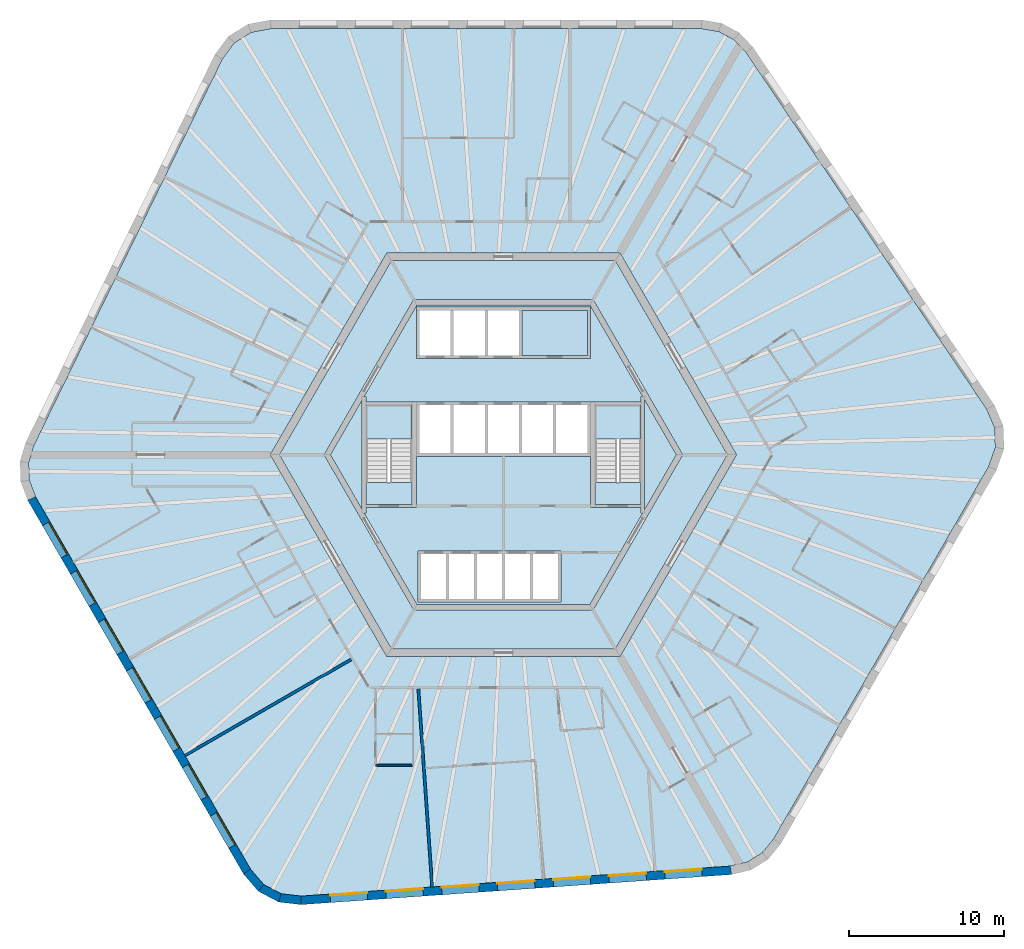
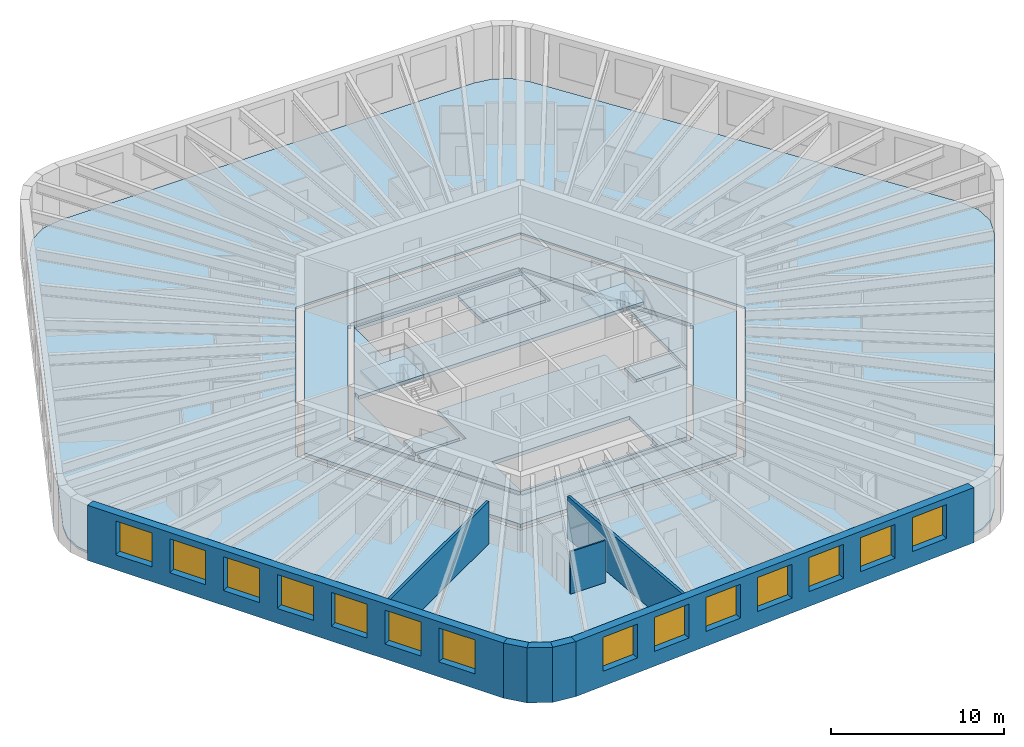
# One storey, part 2 of 10: 14 windows, 11 slabs, 8 walls, 14 openings, 2 elements without a shape of their own.
"""IFC4 building model written with IfcOpenShell, lengths in metres."""

from ifc_helpers import new_model, si_unit, direction, frame, frame_2d, origin, place, context, subcontext, project, spatial, polyline, rectangle, outline, extrude, material, layer, layer_set, type_object, element, fill, aggregate, save


model = new_model("IFC4")

# Units and contexts
model_context = context("Model", 3, precision=1e-05, world=origin(), true_north=direction((0.0, 1.0)))
body_context = subcontext(model_context, "Body", "Model", "MODEL_VIEW")
ifc_project = project(units=[si_unit("LENGTHUNIT", "METRE"), si_unit("AREAUNIT", "SQUARE_METRE"), si_unit("VOLUMEUNIT", "CUBIC_METRE"), si_unit("PLANEANGLEUNIT", "RADIAN"), si_unit("MASSUNIT", "GRAM", prefix="KILO")], contexts=[model_context])

# Site, building, storey
site_placement = place(None, origin())
site = spatial("IfcSite", under=ifc_project, at=site_placement, CompositionType="ELEMENT")
building_placement = place(site_placement, origin())
building = spatial("IfcBuilding", under=site, at=building_placement, Name="Tarnside Tower", CompositionType="ELEMENT")
storey_placement = place(building_placement, frame((0.0, 0.0, 187.800048828125)))
storey = spatial("IfcBuildingStorey", under=building, at=storey_placement, Name="L44", CompositionType="ELEMENT", Elevation=187.800048828125)

# Slabs
ifc_material_1 = material(Name="Concrete C35/45", Category="concrete")
ifc_layer_1 = layer(ifc_material_1, 0.14990234375)
ifc_layer_set_1 = layer_set([ifc_layer_1], Name="Composite floor slab 150")
slab_type_1 = type_object("IfcSlabType", Name="Composite floor slab 150", PredefinedType="FLOOR", material=ifc_layer_set_1)
slab_1_placement = place(storey_placement, frame((0.0, 0.0, -0.150146484375)))
element("IfcSlab", 1, at=slab_1_placement, inside=storey, type_object=slab_type_1, Name="Floor slab L44", PredefinedType="FLOOR", context=body_context, shape_type="SweptSolid", body=[
    extrude(outline(polyline([(13.864013671875, 27.264892578125), (14.85107421875, 26.740234375), (15.6337890625, 25.91064453125), (31.12890625, 2.938232421875), (31.644287109375, 1.7431640625), (31.68896484375, 0.468505859375), (31.258056640625, -0.759521484375), (17.403076171875, -24.7568359375), (16.68017578125, -25.63916015625), (15.732177734375, -26.2314453125), (14.622314453125, -26.494384765625), (-13.02001953125, -28.427490234375), (-14.3125, -28.2763671875), (-15.438720703125, -27.677490234375), (-16.286865234375, -26.6904296875), (-30.1416015625, -2.693115234375), (-30.544189453125, -1.6259765625), (-30.583251953125, -0.5087890625), (-30.256103515625, 0.583984375), (-18.10888671875, 25.4892578125), (-17.331787109375, 26.533203125), (-16.250244140625, 27.208984375), (-14.97119140625, 27.449951171875), (12.738525390625, 27.449951171875), (13.864013671875, 27.264892578125)]), holes=[polyline([(-15.010986328125, 0.0), (-7.505615234375, -13.0), (7.505615234375, -13.0), (15.010986328125, 0.0), (7.505615234375, 13.0), (-7.505615234375, 13.0), (-15.010986328125, 0.0)])]), origin(), (0.0, 0.0, 1.0), 0.150146484375),
])
ifc_material_2 = material(Name="Concrete C40/50", Category="concrete")
ifc_layer_2 = layer(ifc_material_2, 0.25)
ifc_layer_set_2 = layer_set([ifc_layer_2], Name="Core slab C40/50")
slab_type_2 = type_object("IfcSlabType", Name="Core slab C40/50", PredefinedType="FLOOR", material=ifc_layer_set_2)
slab_2_placement = place(storey_placement, frame((0.0, 0.0, -0.25)))
element("IfcSlab", 2, at=slab_2_placement, inside=storey, type_object=slab_type_2, Name="L44 core floor slab 1", PredefinedType="FLOOR", context=body_context, shape_type="SweptSolid", body=[
    extrude(outline(polyline([(-7.216796875, 12.5), (7.216796875, 12.5), (14.433837890625, 0.0), (7.216796875, -12.5), (-7.216796875, -12.5), (-14.433837890625, 0.0), (-7.216796875, 12.5)]), holes=[polyline([(5.823974609375, -9.91259765625), (11.49658203125, -0.08740234375), (11.344970703125, 0.0), (11.49658203125, 0.08740234375), (5.823974609375, 9.91259765625), (5.672607421875, 9.824951171875), (5.672607421875, 10.0), (-5.672607421875, 10.0), (-5.672607421875, 9.824951171875), (-5.823974609375, 9.91259765625), (-11.49658203125, 0.08740234375), (-11.344970703125, 0.0), (-11.49658203125, -0.08740234375), (-5.823974609375, -9.91259765625), (-5.672607421875, -9.824951171875), (-5.672607421875, -10.0), (5.672607421875, -10.0), (5.672607421875, -9.824951171875), (5.823974609375, -9.91259765625)])]), origin(), (0.0, 0.0, 1.0), 0.25),
])
slab_3_placement = place(storey_placement, frame((0.0, 0.0, -0.25)))
element("IfcSlab", 3, at=slab_3_placement, inside=storey, type_object=slab_type_2, Name="L44 core floor slab 2", PredefinedType="FLOOR", context=body_context, shape_type="SweptSolid", body=[
    extrude(outline(polyline([(-8.97509765625, 3.7548828125), (-5.5712890625, 9.64990234375), (5.5712890625, 9.64990234375), (8.97509765625, 3.7548828125), (8.85009765625, 3.7548828125), (8.85009765625, 3.39990234375), (5.89990234375, 3.39990234375), (5.60009765625, 3.39990234375), (5.60009765625, 3.39990234375), (-5.60009765625, 3.39990234375), (-5.89990234375, 3.39990234375), (-8.85009765625, 3.39990234375), (-8.85009765625, 3.7548828125), (-8.97509765625, 3.7548828125)]), holes=[polyline([(-5.60009765625, 6.199951171875), (5.60009765625, 6.199951171875), (5.60009765625, 6.39990234375), (5.60009765625, 9.300048828125), (5.60009765625, 9.5), (-5.60009765625, 9.5), (-5.60009765625, 9.300048828125), (-5.60009765625, 6.39990234375), (-5.60009765625, 6.199951171875)])]), origin(), (0.0, 0.0, 1.0), 0.25),
])
slab_4_placement = place(storey_placement, frame((0.0, 0.0, -0.25)))
element("IfcSlab", 4, at=slab_4_placement, inside=storey, type_object=slab_type_2, Name="L44 core floor slab 3", PredefinedType="FLOOR", context=body_context, shape_type="SweptSolid", body=[
    extrude(outline(polyline([(5.60009765625, -3.39990234375), (5.89990234375, -3.39990234375), (8.85009765625, -3.39990234375), (8.85009765625, -3.7548828125), (8.97509765625, -3.7548828125), (5.5712890625, -9.64990234375), (-5.5712890625, -9.64990234375), (-8.97509765625, -3.7548828125), (-8.85009765625, -3.7548828125), (-8.85009765625, -3.39990234375), (-5.89990234375, -3.39990234375), (-5.60009765625, -3.39990234375), (-5.60009765625, -0.10009765625), (5.60009765625, -0.10009765625), (5.60009765625, -3.39990234375)]), holes=[polyline([(-5.5, -9.300048828125), (-5.5, -9.5), (3.699951171875, -9.5), (3.699951171875, -9.300048828125), (3.699951171875, -6.39990234375), (3.699951171875, -6.199951171875), (-5.5, -6.199951171875), (-5.5, -6.39990234375), (-5.5, -9.300048828125)])]), origin(), (0.0, 0.0, 1.0), 0.25),
])
slab_5_placement = place(storey_placement, frame((0.0, 0.0, -0.25)))
element("IfcSlab", 5, at=slab_5_placement, inside=storey, type_object=slab_type_2, Name="L44 core floor slab 4", PredefinedType="FLOOR", context=body_context, shape_type="SweptSolid", body=[
    extrude(outline(polyline([(-11.142822265625, 0.0), (-9.10009765625, 3.538330078125), (-9.10009765625, -3.538330078125), (-11.142822265625, 0.0)])), origin(), (0.0, 0.0, 1.0), 0.25),
])
slab_6_placement = place(storey_placement, frame((0.0, 0.0, -0.25)))
element("IfcSlab", 6, at=slab_6_placement, inside=storey, type_object=slab_type_2, Name="L44 core floor slab 5", PredefinedType="FLOOR", context=body_context, shape_type="SweptSolid", body=[
    extrude(outline(polyline([(-8.85009765625, -1.800048828125), (-5.89990234375, -1.800048828125), (-5.89990234375, -3.199951171875), (-8.85009765625, -3.199951171875), (-8.85009765625, -1.800048828125)])), origin(), (0.0, 0.0, 1.0), 0.25),
])
slab_7_placement = place(storey_placement, frame((0.0, 0.0, -0.25)))
element("IfcSlab", 7, at=slab_7_placement, inside=storey, type_object=slab_type_2, Name="L44 core floor slab 6", PredefinedType="FLOOR", context=body_context, shape_type="SweptSolid", body=[
    extrude(outline(polyline([(5.89990234375, -3.199951171875), (5.89990234375, -1.800048828125), (8.85009765625, -1.800048828125), (8.85009765625, -3.199951171875), (5.89990234375, -3.199951171875)])), origin(), (0.0, 0.0, 1.0), 0.25),
])
slab_8_placement = place(storey_placement, frame((0.0, 0.0, -0.25)))
element("IfcSlab", 8, at=slab_8_placement, inside=storey, type_object=slab_type_2, Name="L44 core floor slab 7", PredefinedType="FLOOR", context=body_context, shape_type="SweptSolid", body=[
    extrude(outline(polyline([(9.10009765625, -3.538330078125), (9.10009765625, 3.538330078125), (11.142822265625, 0.0), (9.10009765625, -3.538330078125)])), origin(), (0.0, 0.0, 1.0), 0.25),
])
slab_9_placement = place(storey_placement, frame((0.0, 0.0, -0.25)))
element("IfcSlab", 9, at=slab_9_placement, inside=storey, type_object=slab_type_2, Name="L44 core floor slab 8", PredefinedType="FLOOR", context=body_context, shape_type="SweptSolid", body=[
    extrude(outline(polyline([(5.39990234375, 9.300048828125), (5.39990234375, 6.39990234375), (1.199951171875, 6.39990234375), (1.199951171875, 9.300048828125), (5.39990234375, 9.300048828125)])), origin(), (0.0, 0.0, 1.0), 0.25),
])

# Stair, slab
stair_type = type_object("IfcStairType", Name="Exit stair 1400 clear", PredefinedType="HALF_TURN_STAIR", material=ifc_material_2)
stair_1_placement = place(storey_placement, origin())
stair_1 = element("IfcStair", 10, at=stair_1_placement, inside=storey, type_object=stair_type, Name="L44 Exit stair 1", PredefinedType="HALF_TURN_STAIR")
ifc_layer_3 = layer(ifc_material_2, 0.199951171875)
ifc_layer_set_3 = layer_set([ifc_layer_3], Name="Stair landing 200 C40/50")
slab_type_3 = type_object("IfcSlabType", Name="Stair landing 200 C40/50", PredefinedType="LANDING", material=ifc_layer_set_3)
slab_10_placement = place(storey_placement, frame((0.0, 0.0, 1.75)))
slab_10 = element("IfcSlab", 11, at=slab_10_placement, type_object=slab_type_3, Name="ST1 landing 1", PredefinedType="LANDING", context=body_context, shape_type="SweptSolid", body=[
    extrude(outline(polyline([(8.85009765625, 1.0), (8.85009765625, 3.199951171875), (5.89990234375, 3.199951171875), (5.89990234375, 1.0), (8.85009765625, 1.0)])), origin(), (0.0, 0.0, 1.0), 0.199951171875),
])
aggregate(stair_1, [slab_10])

stair_2_placement = place(storey_placement, origin())
stair_2 = element("IfcStair", 12, at=stair_2_placement, inside=storey, type_object=stair_type, Name="L44 Exit stair 2", PredefinedType="HALF_TURN_STAIR")
slab_11_placement = place(storey_placement, frame((0.0, 0.0, 1.75)))
slab_11 = element("IfcSlab", 13, at=slab_11_placement, type_object=slab_type_3, Name="ST2 landing 1", PredefinedType="LANDING", context=body_context, shape_type="SweptSolid", body=[
    extrude(outline(polyline([(-5.89990234375, 1.0), (-5.89990234375, 3.199951171875), (-8.85009765625, 3.199951171875), (-8.85009765625, 1.0), (-5.89990234375, 1.0)])), origin(), (0.0, 0.0, 1.0), 0.199951171875),
])
aggregate(stair_2, [slab_11])

# Walls
ifc_material_3 = material(Name="Gypsum board partition on steel studs", Category="steel")
ifc_layer_4 = layer(ifc_material_3, 0.179931640625)
ifc_layer_set_4 = layer_set([ifc_layer_4], Name="Demising wall 180 EI 60")
wall_type_1 = type_object("IfcWallType", Name="Demising wall 180 EI 60", PredefinedType="PARTITIONING", material=ifc_layer_set_4)
wall_1_placement = place(storey_placement, frame((-20.513427734375, -19.36962890625, 0.0), z_axis=(0.0, 0.0, 1.0), x_axis=(0.866024931941, 0.500000817256, 0.0)))
element("IfcWall", 14, at=wall_1_placement, inside=storey, type_object=wall_type_1, Name="Demising wall 14085", PredefinedType="PARTITIONING", context=body_context, shape_type="SweptSolid", body=[
    extrude(rectangle(XDim=12.375, YDim=0.179931640625, at=frame_2d((6.1875, 0.0))), origin(), (0.0, 0.0, 1.0), 2.98779296875),
])
wall_2_placement = place(storey_placement, frame((-4.587158203125, -27.837890625, 0.0), z_axis=(0.0, 0.0, 1.0), x_axis=(-0.069764754112, 0.997563471206, 0.0)))
element("IfcWall", 15, at=wall_2_placement, inside=storey, type_object=wall_type_1, Name="Demising wall 14091", PredefinedType="PARTITIONING", context=body_context, shape_type="SweptSolid", body=[
    extrude(rectangle(XDim=12.794189453125, YDim=0.179931640625, at=frame_2d((6.39697265625, 0.0))), origin(), (0.0, 0.0, 1.0), 2.98779296875),
])
ifc_layer_5 = layer(ifc_material_3, 0.10009765625)
ifc_layer_set_5 = layer_set([ifc_layer_5], Name="Partition 100")
wall_type_2 = type_object("IfcWallType", Name="Partition 100", PredefinedType="PARTITIONING", material=ifc_layer_set_5)
wall_3_placement = place(storey_placement, frame((-5.885009765625, -20.0, 0.0), z_axis=(0.0, 0.0, 1.0), x_axis=(-1.0, 0.0, 0.0)))
element("IfcWall", 16, at=wall_3_placement, inside=storey, type_object=wall_type_2, Name="Partition wall 14089", PredefinedType="PARTITIONING", context=body_context, shape_type="SweptSolid", body=[
    extrude(rectangle(XDim=2.349853515625, YDim=0.10009765625, at=frame_2d((1.1748046875, 0.0))), origin(), (0.0, 0.0, 1.0), 2.98779296875),
])

# Wall, openings, windows
ifc_material_4 = material(Name="Facing brick", Category="masonry")
ifc_layer_6 = layer(ifc_material_4, 0.10205078125)
ifc_material_5 = material(Name="Concrete C60/75 precast", Category="concrete")
ifc_layer_7 = layer(ifc_material_5, 0.347900390625)
ifc_material_6 = material(Name="Mineral wool insulation")
ifc_layer_8 = layer(ifc_material_6, 0.10009765625)
ifc_layer_set_6 = layer_set([ifc_layer_6, ifc_layer_7, ifc_layer_8], Name="Tube wall 550 brick faced")
wall_type_3 = type_object("IfcWallType", Name="Tube wall 550 brick faced", PredefinedType="SOLIDWALL", material=ifc_layer_set_6)
wall_4_placement = place(storey_placement, frame((-30.39111328125, -2.81103515625, -0.150146484375), z_axis=(0.0, 0.0, 1.0), x_axis=(0.499998569178, -0.866026229868, 0.0)))
wall_4 = element("IfcWall", 17, at=wall_4_placement, inside=storey, type_object=wall_type_3, Name="Tube wall L44 F3 flush 08", PredefinedType="SOLIDWALL", context=body_context, shape_type="SweptSolid", body=[
    extrude(outline(polyline([(-0.0224609375, -0.27490234375), (27.783447265625, -0.27490234375), (27.732177734375, 0.27490234375), (0.0224609375, 0.27490234375), (-0.0224609375, -0.27490234375)])), origin(), (0.0, 0.0, 1.0), 3.900146484375),
])
opening_1_placement = place(wall_4_placement, frame((1.87890625, 0.0, 1.050048828125)))
opening_1 = element("IfcOpeningElement", 18, at=opening_1_placement, cuts=wall_4, Name="Opening WH", PredefinedType="OPENING", context=body_context, shape_type="SweptSolid", body=[
    extrude(rectangle(XDim=2.39990234375, YDim=2.39990234375, at=frame_2d((1.199951171875, 1.199951171875))), frame((0.0, 0.28515625, 0.0), z_axis=(0.0, -1.0, 0.0), x_axis=(1.0, 0.0, 0.0)), (0.0, 0.0, 1.0), 0.570068359375),
])
opening_2_placement = place(wall_4_placement, frame((5.47900390625, 0.0, 1.050048828125)))
opening_2 = element("IfcOpeningElement", 19, at=opening_2_placement, cuts=wall_4, Name="Opening WH", PredefinedType="OPENING", context=body_context, shape_type="SweptSolid", body=[
    extrude(rectangle(XDim=2.39990234375, YDim=2.39990234375, at=frame_2d((1.199951171875, 1.199951171875))), frame((0.0, 0.28515625, 0.0), z_axis=(0.0, -1.0, 0.0), x_axis=(1.0, 0.0, 0.0)), (0.0, 0.0, 1.0), 0.570068359375),
])
opening_3_placement = place(wall_4_placement, frame((9.078857421875, 0.0, 1.050048828125)))
opening_3 = element("IfcOpeningElement", 20, at=opening_3_placement, cuts=wall_4, Name="Opening WH", PredefinedType="OPENING", context=body_context, shape_type="SweptSolid", body=[
    extrude(rectangle(XDim=2.39990234375, YDim=2.39990234375, at=frame_2d((1.199951171875, 1.199951171875))), frame((0.0, 0.28515625, 0.0), z_axis=(0.0, -1.0, 0.0), x_axis=(1.0, 0.0, 0.0)), (0.0, 0.0, 1.0), 0.570068359375),
])
opening_4_placement = place(wall_4_placement, frame((12.678955078125, 0.0, 1.050048828125)))
opening_4 = element("IfcOpeningElement", 21, at=opening_4_placement, cuts=wall_4, Name="Opening WH", PredefinedType="OPENING", context=body_context, shape_type="SweptSolid", body=[
    extrude(rectangle(XDim=2.39990234375, YDim=2.39990234375, at=frame_2d((1.199951171875, 1.199951171875))), frame((0.0, 0.28515625, 0.0), z_axis=(0.0, -1.0, 0.0), x_axis=(1.0, 0.0, 0.0)), (0.0, 0.0, 1.0), 0.570068359375),
])
opening_5_placement = place(wall_4_placement, frame((16.27880859375, 0.0, 1.050048828125)))
opening_5 = element("IfcOpeningElement", 22, at=opening_5_placement, cuts=wall_4, Name="Opening WH", PredefinedType="OPENING", context=body_context, shape_type="SweptSolid", body=[
    extrude(rectangle(XDim=2.39990234375, YDim=2.39990234375, at=frame_2d((1.199951171875, 1.199951171875))), frame((0.0, 0.28515625, 0.0), z_axis=(0.0, -1.0, 0.0), x_axis=(1.0, 0.0, 0.0)), (0.0, 0.0, 1.0), 0.570068359375),
])
opening_6_placement = place(wall_4_placement, frame((19.87890625, 0.0, 1.050048828125)))
opening_6 = element("IfcOpeningElement", 23, at=opening_6_placement, cuts=wall_4, Name="Opening WH", PredefinedType="OPENING", context=body_context, shape_type="SweptSolid", body=[
    extrude(rectangle(XDim=2.39990234375, YDim=2.39990234375, at=frame_2d((1.199951171875, 1.199951171875))), frame((0.0, 0.28515625, 0.0), z_axis=(0.0, -1.0, 0.0), x_axis=(1.0, 0.0, 0.0)), (0.0, 0.0, 1.0), 0.570068359375),
])
opening_7_placement = place(wall_4_placement, frame((23.47900390625, 0.0, 1.050048828125)))
opening_7 = element("IfcOpeningElement", 24, at=opening_7_placement, cuts=wall_4, Name="Opening WH", PredefinedType="OPENING", context=body_context, shape_type="SweptSolid", body=[
    extrude(rectangle(XDim=2.39990234375, YDim=2.39990234375, at=frame_2d((1.199951171875, 1.199951171875))), frame((0.0, 0.28515625, 0.0), z_axis=(0.0, -1.0, 0.0), x_axis=(1.0, 0.0, 0.0)), (0.0, 0.0, 1.0), 0.570068359375),
])
ifc_material_7 = material(Name="Aluminium-framed double glazing", Category="aluminium")
window_type = type_object("IfcWindowType", Name="Hotel window 2400 x 2400", PartitioningType="DOUBLE_PANEL_VERTICAL", PredefinedType="WINDOW", material=ifc_material_7)
window_1_placement = place(opening_1_placement, frame((0.0, 0.205078125, 0.0)))
window_1 = element("IfcWindow", 25, at=window_1_placement, inside=storey, type_object=window_type, Name="E.WN.L44.F3.00", OverallHeight=2.39990234375, OverallWidth=2.39990234375, PartitioningType="DOUBLE_PANEL_VERTICAL", PredefinedType="WINDOW", context=body_context, shape_type="SweptSolid", body=[
    extrude(rectangle(XDim=2.39990234375, YDim=2.39990234375, at=frame_2d((1.199951171875, 1.199951171875))), frame((0.0, 0.030029296875, 0.0), z_axis=(0.0, -1.0, 0.0), x_axis=(1.0, 0.0, 0.0)), (0.0, 0.0, 1.0), 0.06005859375),
])
fill(opening_1, window_1)
window_2_placement = place(opening_2_placement, frame((0.0, 0.205078125, 0.0)))
window_2 = element("IfcWindow", 26, at=window_2_placement, inside=storey, type_object=window_type, Name="E.WN.L44.F3.01", OverallHeight=2.39990234375, OverallWidth=2.39990234375, PartitioningType="DOUBLE_PANEL_VERTICAL", PredefinedType="WINDOW", context=body_context, shape_type="SweptSolid", body=[
    extrude(rectangle(XDim=2.39990234375, YDim=2.39990234375, at=frame_2d((1.199951171875, 1.199951171875))), frame((0.0, 0.030029296875, 0.0), z_axis=(0.0, -1.0, 0.0), x_axis=(1.0, 0.0, 0.0)), (0.0, 0.0, 1.0), 0.06005859375),
])
fill(opening_2, window_2)
window_3_placement = place(opening_3_placement, frame((0.0, 0.205078125, 0.0)))
window_3 = element("IfcWindow", 27, at=window_3_placement, inside=storey, type_object=window_type, Name="E.WN.L44.F3.02", OverallHeight=2.39990234375, OverallWidth=2.39990234375, PartitioningType="DOUBLE_PANEL_VERTICAL", PredefinedType="WINDOW", context=body_context, shape_type="SweptSolid", body=[
    extrude(rectangle(XDim=2.39990234375, YDim=2.39990234375, at=frame_2d((1.199951171875, 1.199951171875))), frame((0.0, 0.030029296875, 0.0), z_axis=(0.0, -1.0, 0.0), x_axis=(1.0, 0.0, 0.0)), (0.0, 0.0, 1.0), 0.06005859375),
])
fill(opening_3, window_3)
window_4_placement = place(opening_4_placement, frame((0.0, 0.205078125, 0.0)))
window_4 = element("IfcWindow", 28, at=window_4_placement, inside=storey, type_object=window_type, Name="E.WN.L44.F3.03", OverallHeight=2.39990234375, OverallWidth=2.39990234375, PartitioningType="DOUBLE_PANEL_VERTICAL", PredefinedType="WINDOW", context=body_context, shape_type="SweptSolid", body=[
    extrude(rectangle(XDim=2.39990234375, YDim=2.39990234375, at=frame_2d((1.199951171875, 1.199951171875))), frame((0.0, 0.030029296875, 0.0), z_axis=(0.0, -1.0, 0.0), x_axis=(1.0, 0.0, 0.0)), (0.0, 0.0, 1.0), 0.06005859375),
])
fill(opening_4, window_4)
window_5_placement = place(opening_5_placement, frame((0.0, 0.205078125, 0.0)))
window_5 = element("IfcWindow", 29, at=window_5_placement, inside=storey, type_object=window_type, Name="E.WN.L44.F3.04", OverallHeight=2.39990234375, OverallWidth=2.39990234375, PartitioningType="DOUBLE_PANEL_VERTICAL", PredefinedType="WINDOW", context=body_context, shape_type="SweptSolid", body=[
    extrude(rectangle(XDim=2.39990234375, YDim=2.39990234375, at=frame_2d((1.199951171875, 1.199951171875))), frame((0.0, 0.030029296875, 0.0), z_axis=(0.0, -1.0, 0.0), x_axis=(1.0, 0.0, 0.0)), (0.0, 0.0, 1.0), 0.06005859375),
])
fill(opening_5, window_5)
window_6_placement = place(opening_6_placement, frame((0.0, 0.205078125, 0.0)))
window_6 = element("IfcWindow", 30, at=window_6_placement, inside=storey, type_object=window_type, Name="E.WN.L44.F3.05", OverallHeight=2.39990234375, OverallWidth=2.39990234375, PartitioningType="DOUBLE_PANEL_VERTICAL", PredefinedType="WINDOW", context=body_context, shape_type="SweptSolid", body=[
    extrude(rectangle(XDim=2.39990234375, YDim=2.39990234375, at=frame_2d((1.199951171875, 1.199951171875))), frame((0.0, 0.030029296875, 0.0), z_axis=(0.0, -1.0, 0.0), x_axis=(1.0, 0.0, 0.0)), (0.0, 0.0, 1.0), 0.06005859375),
])
fill(opening_6, window_6)
window_7_placement = place(opening_7_placement, frame((0.0, 0.205078125, 0.0)))
window_7 = element("IfcWindow", 31, at=window_7_placement, inside=storey, type_object=window_type, Name="E.WN.L44.F3.06", OverallHeight=2.39990234375, OverallWidth=2.39990234375, PartitioningType="DOUBLE_PANEL_VERTICAL", PredefinedType="WINDOW", context=body_context, shape_type="SweptSolid", body=[
    extrude(rectangle(XDim=2.39990234375, YDim=2.39990234375, at=frame_2d((1.199951171875, 1.199951171875))), frame((0.0, 0.030029296875, 0.0), z_axis=(0.0, -1.0, 0.0), x_axis=(1.0, 0.0, 0.0)), (0.0, 0.0, 1.0), 0.06005859375),
])
fill(opening_7, window_7)

# Walls
wall_5_placement = place(storey_placement, frame((-16.51220703125, -26.85009765625, -0.150146484375), z_axis=(0.0, 0.0, 1.0), x_axis=(0.651621950847, -0.758543890078, 0.0)))
element("IfcWall", 32, at=wall_5_placement, inside=storey, type_object=wall_type_3, Name="Tube wall L44 F3 chord 09", PredefinedType="SOLIDWALL", context=body_context, shape_type="SweptSolid", body=[
    extrude(outline(polyline([(-0.025634765625, -0.27490234375), (1.430908203125, -0.27490234375), (1.327392578125, 0.27490234375), (0.025634765625, 0.27490234375), (-0.025634765625, -0.27490234375)])), origin(), (0.0, 0.0, 1.0), 3.900146484375),
])
wall_6_placement = place(storey_placement, frame((-15.613525390625, -27.896240234375, -0.150146484375), z_axis=(0.0, 0.0, 1.0), x_axis=(0.882994189209, -0.469383917304, 0.0)))
element("IfcWall", 33, at=wall_6_placement, inside=storey, type_object=wall_type_3, Name="Tube wall L44 F3 chord 10", PredefinedType="SOLIDWALL", context=body_context, shape_type="SweptSolid", body=[
    extrude(outline(polyline([(-0.0517578125, -0.27490234375), (1.4306640625, -0.27490234375), (1.3271484375, 0.27490234375), (0.0517578125, 0.27490234375), (-0.0517578125, -0.27490234375)])), origin(), (0.0, 0.0, 1.0), 3.900146484375),
])
wall_7_placement = place(storey_placement, frame((-14.39599609375, -28.54345703125, -0.150146484375), z_axis=(0.0, 0.0, 1.0), x_axis=(0.993232537394, -0.11614269956, 0.0)))
element("IfcWall", 34, at=wall_7_placement, inside=storey, type_object=wall_type_3, Name="Tube wall L44 F3 chord 11", PredefinedType="SOLIDWALL", context=body_context, shape_type="SweptSolid", body=[
    extrude(outline(polyline([(-0.0517578125, -0.27490234375), (1.404541015625, -0.27490234375), (1.353271484375, 0.27490234375), (0.0517578125, 0.27490234375), (-0.0517578125, -0.27490234375)])), origin(), (0.0, 0.0, 1.0), 3.900146484375),
])

# Wall, openings, windows
wall_8_placement = place(storey_placement, frame((-13.0263671875, -28.70361328125, -0.150146484375), z_axis=(0.0, 0.0, 1.0), x_axis=(0.99756406806, 0.069756219185, 0.0)))
wall_8 = element("IfcWall", 35, at=wall_8_placement, inside=storey, type_object=wall_type_3, Name="Tube wall L44 F4 flush 12", PredefinedType="SOLIDWALL", context=body_context, shape_type="SweptSolid", body=[
    extrude(outline(polyline([(-0.025634765625, -0.27490234375), (27.7802734375, -0.27490234375), (27.7353515625, 0.27490234375), (0.025634765625, 0.27490234375), (-0.025634765625, -0.27490234375)])), origin(), (0.0, 0.0, 1.0), 3.900146484375),
])
opening_8_placement = place(wall_8_placement, frame((1.87890625, 0.0, 1.050048828125)))
opening_8 = element("IfcOpeningElement", 36, at=opening_8_placement, cuts=wall_8, Name="Opening WH", PredefinedType="OPENING", context=body_context, shape_type="SweptSolid", body=[
    extrude(rectangle(XDim=2.39990234375, YDim=2.39990234375, at=frame_2d((1.199951171875, 1.199951171875))), frame((0.0, 0.28515625, 0.0), z_axis=(0.0, -1.0, 0.0), x_axis=(1.0, 0.0, 0.0)), (0.0, 0.0, 1.0), 0.570068359375),
])
opening_9_placement = place(wall_8_placement, frame((5.47900390625, 0.0, 1.050048828125)))
opening_9 = element("IfcOpeningElement", 37, at=opening_9_placement, cuts=wall_8, Name="Opening WH", PredefinedType="OPENING", context=body_context, shape_type="SweptSolid", body=[
    extrude(rectangle(XDim=2.39990234375, YDim=2.39990234375, at=frame_2d((1.199951171875, 1.199951171875))), frame((0.0, 0.28515625, 0.0), z_axis=(0.0, -1.0, 0.0), x_axis=(1.0, 0.0, 0.0)), (0.0, 0.0, 1.0), 0.570068359375),
])
opening_10_placement = place(wall_8_placement, frame((9.078857421875, 0.0, 1.050048828125)))
opening_10 = element("IfcOpeningElement", 38, at=opening_10_placement, cuts=wall_8, Name="Opening WH", PredefinedType="OPENING", context=body_context, shape_type="SweptSolid", body=[
    extrude(rectangle(XDim=2.39990234375, YDim=2.39990234375, at=frame_2d((1.199951171875, 1.199951171875))), frame((0.0, 0.28515625, 0.0), z_axis=(0.0, -1.0, 0.0), x_axis=(1.0, 0.0, 0.0)), (0.0, 0.0, 1.0), 0.570068359375),
])
opening_11_placement = place(wall_8_placement, frame((12.678955078125, 0.0, 1.050048828125)))
opening_11 = element("IfcOpeningElement", 39, at=opening_11_placement, cuts=wall_8, Name="Opening WH", PredefinedType="OPENING", context=body_context, shape_type="SweptSolid", body=[
    extrude(rectangle(XDim=2.39990234375, YDim=2.39990234375, at=frame_2d((1.199951171875, 1.199951171875))), frame((0.0, 0.28515625, 0.0), z_axis=(0.0, -1.0, 0.0), x_axis=(1.0, 0.0, 0.0)), (0.0, 0.0, 1.0), 0.570068359375),
])
opening_12_placement = place(wall_8_placement, frame((16.27880859375, 0.0, 1.050048828125)))
opening_12 = element("IfcOpeningElement", 40, at=opening_12_placement, cuts=wall_8, Name="Opening WH", PredefinedType="OPENING", context=body_context, shape_type="SweptSolid", body=[
    extrude(rectangle(XDim=2.39990234375, YDim=2.39990234375, at=frame_2d((1.199951171875, 1.199951171875))), frame((0.0, 0.28515625, 0.0), z_axis=(0.0, -1.0, 0.0), x_axis=(1.0, 0.0, 0.0)), (0.0, 0.0, 1.0), 0.570068359375),
])
opening_13_placement = place(wall_8_placement, frame((19.87890625, 0.0, 1.050048828125)))
opening_13 = element("IfcOpeningElement", 41, at=opening_13_placement, cuts=wall_8, Name="Opening WH", PredefinedType="OPENING", context=body_context, shape_type="SweptSolid", body=[
    extrude(rectangle(XDim=2.39990234375, YDim=2.39990234375, at=frame_2d((1.199951171875, 1.199951171875))), frame((0.0, 0.28515625, 0.0), z_axis=(0.0, -1.0, 0.0), x_axis=(1.0, 0.0, 0.0)), (0.0, 0.0, 1.0), 0.570068359375),
])
opening_14_placement = place(wall_8_placement, frame((23.47900390625, 0.0, 1.050048828125)))
opening_14 = element("IfcOpeningElement", 42, at=opening_14_placement, cuts=wall_8, Name="Opening WH", PredefinedType="OPENING", context=body_context, shape_type="SweptSolid", body=[
    extrude(rectangle(XDim=2.39990234375, YDim=2.39990234375, at=frame_2d((1.199951171875, 1.199951171875))), frame((0.0, 0.28515625, 0.0), z_axis=(0.0, -1.0, 0.0), x_axis=(1.0, 0.0, 0.0)), (0.0, 0.0, 1.0), 0.570068359375),
])
window_8_placement = place(opening_8_placement, frame((0.0, 0.205078125, 0.0)))
window_8 = element("IfcWindow", 43, at=window_8_placement, inside=storey, type_object=window_type, Name="E.WN.L44.F4.00", OverallHeight=2.39990234375, OverallWidth=2.39990234375, PartitioningType="DOUBLE_PANEL_VERTICAL", PredefinedType="WINDOW", context=body_context, shape_type="SweptSolid", body=[
    extrude(rectangle(XDim=2.39990234375, YDim=2.39990234375, at=frame_2d((1.199951171875, 1.199951171875))), frame((0.0, 0.030029296875, 0.0), z_axis=(0.0, -1.0, 0.0), x_axis=(1.0, 0.0, 0.0)), (0.0, 0.0, 1.0), 0.06005859375),
])
fill(opening_8, window_8)
window_9_placement = place(opening_9_placement, frame((0.0, 0.205078125, 0.0)))
window_9 = element("IfcWindow", 44, at=window_9_placement, inside=storey, type_object=window_type, Name="E.WN.L44.F4.01", OverallHeight=2.39990234375, OverallWidth=2.39990234375, PartitioningType="DOUBLE_PANEL_VERTICAL", PredefinedType="WINDOW", context=body_context, shape_type="SweptSolid", body=[
    extrude(rectangle(XDim=2.39990234375, YDim=2.39990234375, at=frame_2d((1.199951171875, 1.199951171875))), frame((0.0, 0.030029296875, 0.0), z_axis=(0.0, -1.0, 0.0), x_axis=(1.0, 0.0, 0.0)), (0.0, 0.0, 1.0), 0.06005859375),
])
fill(opening_9, window_9)
window_10_placement = place(opening_10_placement, frame((0.0, 0.205078125, 0.0)))
window_10 = element("IfcWindow", 45, at=window_10_placement, inside=storey, type_object=window_type, Name="E.WN.L44.F4.02", OverallHeight=2.39990234375, OverallWidth=2.39990234375, PartitioningType="DOUBLE_PANEL_VERTICAL", PredefinedType="WINDOW", context=body_context, shape_type="SweptSolid", body=[
    extrude(rectangle(XDim=2.39990234375, YDim=2.39990234375, at=frame_2d((1.199951171875, 1.199951171875))), frame((0.0, 0.030029296875, 0.0), z_axis=(0.0, -1.0, 0.0), x_axis=(1.0, 0.0, 0.0)), (0.0, 0.0, 1.0), 0.06005859375),
])
fill(opening_10, window_10)
window_11_placement = place(opening_11_placement, frame((0.0, 0.205078125, 0.0)))
window_11 = element("IfcWindow", 46, at=window_11_placement, inside=storey, type_object=window_type, Name="E.WN.L44.F4.03", OverallHeight=2.39990234375, OverallWidth=2.39990234375, PartitioningType="DOUBLE_PANEL_VERTICAL", PredefinedType="WINDOW", context=body_context, shape_type="SweptSolid", body=[
    extrude(rectangle(XDim=2.39990234375, YDim=2.39990234375, at=frame_2d((1.199951171875, 1.199951171875))), frame((0.0, 0.030029296875, 0.0), z_axis=(0.0, -1.0, 0.0), x_axis=(1.0, 0.0, 0.0)), (0.0, 0.0, 1.0), 0.06005859375),
])
fill(opening_11, window_11)
window_12_placement = place(opening_12_placement, frame((0.0, 0.205078125, 0.0)))
window_12 = element("IfcWindow", 47, at=window_12_placement, inside=storey, type_object=window_type, Name="E.WN.L44.F4.04", OverallHeight=2.39990234375, OverallWidth=2.39990234375, PartitioningType="DOUBLE_PANEL_VERTICAL", PredefinedType="WINDOW", context=body_context, shape_type="SweptSolid", body=[
    extrude(rectangle(XDim=2.39990234375, YDim=2.39990234375, at=frame_2d((1.199951171875, 1.199951171875))), frame((0.0, 0.030029296875, 0.0), z_axis=(0.0, -1.0, 0.0), x_axis=(1.0, 0.0, 0.0)), (0.0, 0.0, 1.0), 0.06005859375),
])
fill(opening_12, window_12)
window_13_placement = place(opening_13_placement, frame((0.0, 0.205078125, 0.0)))
window_13 = element("IfcWindow", 48, at=window_13_placement, inside=storey, type_object=window_type, Name="E.WN.L44.F4.05", OverallHeight=2.39990234375, OverallWidth=2.39990234375, PartitioningType="DOUBLE_PANEL_VERTICAL", PredefinedType="WINDOW", context=body_context, shape_type="SweptSolid", body=[
    extrude(rectangle(XDim=2.39990234375, YDim=2.39990234375, at=frame_2d((1.199951171875, 1.199951171875))), frame((0.0, 0.030029296875, 0.0), z_axis=(0.0, -1.0, 0.0), x_axis=(1.0, 0.0, 0.0)), (0.0, 0.0, 1.0), 0.06005859375),
])
fill(opening_13, window_13)
window_14_placement = place(opening_14_placement, frame((0.0, 0.205078125, 0.0)))
window_14 = element("IfcWindow", 49, at=window_14_placement, inside=storey, type_object=window_type, Name="E.WN.L44.F4.06", OverallHeight=2.39990234375, OverallWidth=2.39990234375, PartitioningType="DOUBLE_PANEL_VERTICAL", PredefinedType="WINDOW", context=body_context, shape_type="SweptSolid", body=[
    extrude(rectangle(XDim=2.39990234375, YDim=2.39990234375, at=frame_2d((1.199951171875, 1.199951171875))), frame((0.0, 0.030029296875, 0.0), z_axis=(0.0, -1.0, 0.0), x_axis=(1.0, 0.0, 0.0)), (0.0, 0.0, 1.0), 0.06005859375),
])
fill(opening_14, window_14)

save(model, "model.ifc")
